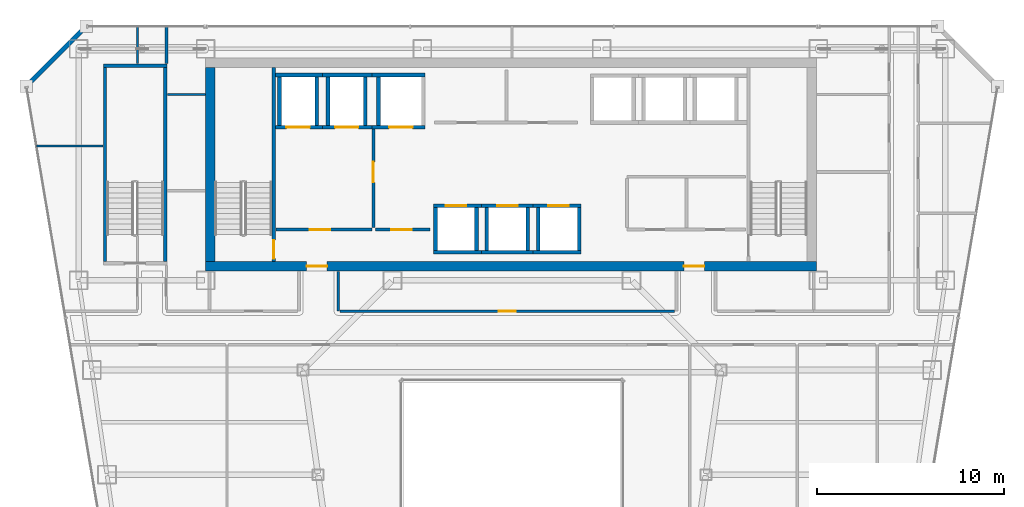
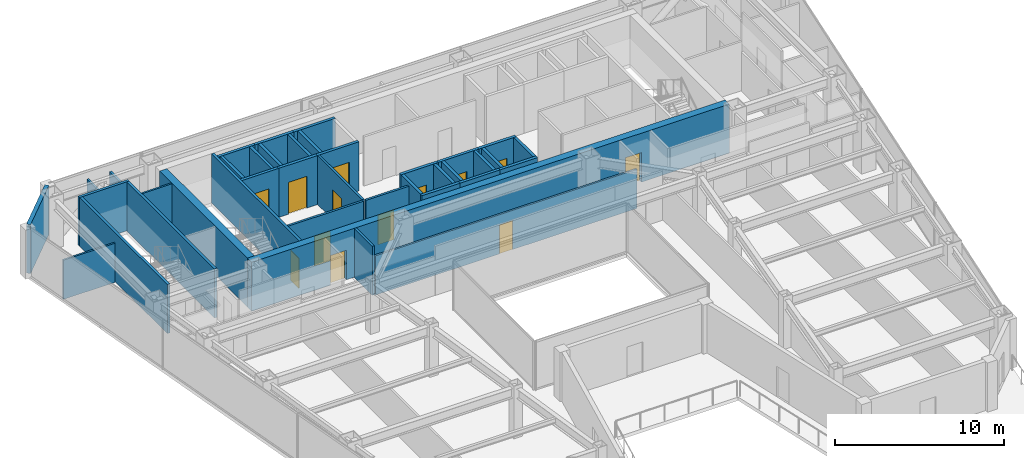
# One storey, part 25 of 31: 39 walls, 13 doors, 13 openings.
"""IFC4 building model written with IfcOpenShell, lengths in metres."""

from ifc_helpers import new_model, si_unit, direction, frame, frame_2d, origin, place, context, subcontext, project, spatial, rectangle, extrude, material, layer, layer_set, type_object, element, fill, save


model = new_model("IFC4")

# Units and contexts
model_context = context("Model", 3, precision=1e-05, world=origin(), true_north=direction((0.0, 1.0)))
body_context = subcontext(model_context, "Body", "Model", "MODEL_VIEW")
ifc_project = project(units=[si_unit("LENGTHUNIT", "METRE"), si_unit("AREAUNIT", "SQUARE_METRE"), si_unit("VOLUMEUNIT", "CUBIC_METRE"), si_unit("PLANEANGLEUNIT", "RADIAN"), si_unit("MASSUNIT", "GRAM", prefix="KILO")], contexts=[model_context])

# Site, building, storey
site_placement = place(None, origin())
site = spatial("IfcSite", under=ifc_project, at=site_placement, CompositionType="ELEMENT")
building_placement = place(site_placement, origin())
building = spatial("IfcBuilding", under=site, at=building_placement, Name="Saevonmaru Cultural Tower", CompositionType="ELEMENT")
storey_placement = place(building_placement, frame((0.0, 0.0, 167.60009765625)))
storey = spatial("IfcBuildingStorey", under=building, at=storey_placement, Name="L37", CompositionType="ELEMENT", Elevation=167.60009765625)

# Wall, openings, doors
ifc_material_1 = material(Name="Concrete C60/75", Category="concrete")
ifc_layer_1 = layer(ifc_material_1, 0.5, Name="Concrete C60/75")
ifc_layer_set_1 = layer_set([ifc_layer_1], Name="Concrete C60/75")
wall_type_1 = type_object("IfcWallType", Name="WL-CORE-500", PredefinedType="SHEAR", material=ifc_layer_set_1)
wall_1_placement = place(storey_placement, frame((13.60009765625, 43.14990234375, 0.0), z_axis=(0.0, 0.0, 1.0), x_axis=(1.0, 0.0, 0.0)))
wall_1 = element("IfcWall", 1, at=wall_1_placement, inside=storey, type_object=wall_type_1, Name="L37 Tower RC core shear wall S", PredefinedType="SHEAR", context=body_context, shape_type="SweptSolid", body=[
    extrude(rectangle(XDim=32.699951171875, YDim=0.5, at=frame_2d((16.35009765625, 0.0))), origin(), (0.0, 0.0, 1.0), 3.5498046875),
])
opening_1_placement = place(wall_1_placement, frame((5.39990234375, 0.0, 0.0)))
opening_1 = element("IfcOpeningElement", 2, at=opening_1_placement, cuts=wall_1, Name="Opening FD-2", PredefinedType="OPENING", context=body_context, shape_type="SweptSolid", body=[
    extrude(rectangle(XDim=1.10009765625, YDim=2.14990234375, at=frame_2d((0.550048828125, 1.074951171875))), frame((0.0, 0.260009765625, 0.0), z_axis=(0.0, -1.0, 0.0), x_axis=(1.0, 0.0, 0.0)), (0.0, 0.0, 1.0), 0.52001953125),
])
opening_2_placement = place(wall_1_placement, frame((25.60009765625, 0.0, 0.0)))
opening_2 = element("IfcOpeningElement", 3, at=opening_2_placement, cuts=wall_1, Name="Opening FD-2", PredefinedType="OPENING", context=body_context, shape_type="SweptSolid", body=[
    extrude(rectangle(XDim=1.10009765625, YDim=2.14990234375, at=frame_2d((0.550048828125, 1.074951171875))), frame((0.0, 0.260009765625, 0.0), z_axis=(0.0, -1.0, 0.0), x_axis=(1.0, 0.0, 0.0)), (0.0, 0.0, 1.0), 0.52001953125),
])
ifc_material_2 = material(Name="Satin Bronze Anodised Aluminium", Category="aluminium")
door_type_1 = type_object("IfcDoorType", Name="DR-FD60-1100", OperationType="SINGLE_SWING_LEFT", PredefinedType="DOOR", material=ifc_material_2)
door_1_placement = place(opening_1_placement, origin())
door_1 = element("IfcDoor", 4, at=door_1_placement, inside=storey, type_object=door_type_1, Name="L37 Core West Lobby Fire Door", OperationType="SINGLE_SWING_LEFT", OverallHeight=2.14990234375, OverallWidth=1.10009765625, PredefinedType="DOOR", context=body_context, shape_type="SweptSolid", body=[
    extrude(rectangle(XDim=1.10009765625, YDim=2.14990234375, at=frame_2d((0.550048828125, 1.074951171875))), frame((0.0, 0.02490234375, 0.0), z_axis=(0.0, -1.0, 0.0), x_axis=(1.0, 0.0, 0.0)), (0.0, 0.0, 1.0), 0.050048828125),
])
fill(opening_1, door_1)
door_2_placement = place(opening_2_placement, origin())
door_2 = element("IfcDoor", 5, at=door_2_placement, inside=storey, type_object=door_type_1, Name="L37 Core East Lobby Fire Door", OperationType="SINGLE_SWING_LEFT", OverallHeight=2.14990234375, OverallWidth=1.10009765625, PredefinedType="DOOR", context=body_context, shape_type="SweptSolid", body=[
    extrude(rectangle(XDim=1.10009765625, YDim=2.14990234375, at=frame_2d((0.550048828125, 1.074951171875))), frame((0.0, 0.02490234375, 0.0), z_axis=(0.0, -1.0, 0.0), x_axis=(1.0, 0.0, 0.0)), (0.0, 0.0, 1.0), 0.050048828125),
])
fill(opening_2, door_2)

# Wall
wall_2_placement = place(storey_placement, frame((13.85009765625, 43.39990234375, 0.0), z_axis=(0.0, 0.0, 1.0), x_axis=(0.0, 1.0, 0.0)))
element("IfcWall", 6, at=wall_2_placement, inside=storey, type_object=wall_type_1, Name="L37 Tower RC core shear wall W", PredefinedType="SHEAR", context=body_context, shape_type="SweptSolid", body=[
    extrude(rectangle(XDim=10.400146484375, YDim=0.5, at=frame_2d((5.2001953125, 0.0))), origin(), (0.0, 0.0, 1.0), 3.5498046875),
])

# Wall, opening, door
ifc_material_3 = material(Name="Gypsum Fireboard Partition", Category="gypsum")
ifc_layer_2 = layer(ifc_material_3, 0.14990234375, Name="Gypsum Fireboard Partition")
ifc_layer_set_2 = layer_set([ifc_layer_2], Name="Gypsum Fireboard Partition")
wall_type_2 = type_object("IfcWallType", Name="WL-CORE-PART-150", PredefinedType="PARTITIONING", material=ifc_layer_set_2)
wall_3_placement = place(storey_placement, frame((17.360107421875, 45.1201171875, 0.0), z_axis=(0.0, 0.0, 1.0), x_axis=(1.0, 0.0, 0.0)))
wall_3 = element("IfcWall", 7, at=wall_3_placement, inside=storey, type_object=wall_type_2, Name="L37 Firefighting Lift Lobby South Wall", PredefinedType="PARTITIONING", context=body_context, shape_type="SweptSolid", body=[
    extrude(rectangle(XDim=5.139892578125, YDim=0.14990234375, at=frame_2d((2.56982421875, 0.0))), origin(), (0.0, 0.0, 1.0), 3.5498046875),
])
opening_3_placement = place(wall_3_placement, frame((1.800048828125, 0.0, 0.0)))
opening_3 = element("IfcOpeningElement", 8, at=opening_3_placement, cuts=wall_3, Name="Opening FD-2", PredefinedType="OPENING", context=body_context, shape_type="SweptSolid", body=[
    extrude(rectangle(XDim=1.10009765625, YDim=2.14990234375, at=frame_2d((0.550048828125, 1.074951171875))), frame((0.0, 0.0849609375, 0.0), z_axis=(0.0, -1.0, 0.0), x_axis=(1.0, 0.0, 0.0)), (0.0, 0.0, 1.0), 0.169921875),
])
door_3_placement = place(opening_3_placement, origin())
door_3 = element("IfcDoor", 9, at=door_3_placement, inside=storey, type_object=door_type_1, Name="L37 Firefighting Lift Lobby South Door", OperationType="SINGLE_SWING_LEFT", OverallHeight=2.14990234375, OverallWidth=1.10009765625, PredefinedType="DOOR", context=body_context, shape_type="SweptSolid", body=[
    extrude(rectangle(XDim=1.10009765625, YDim=2.14990234375, at=frame_2d((0.550048828125, 1.074951171875))), frame((0.0, 0.02490234375, 0.0), z_axis=(0.0, -1.0, 0.0), x_axis=(1.0, 0.0, 0.0)), (0.0, 0.0, 1.0), 0.050048828125),
])
fill(opening_3, door_3)

wall_4_placement = place(storey_placement, frame((22.580078125, 50.550048828125, 0.0), z_axis=(0.0, 0.0, 1.0), x_axis=(0.0, -1.0, 0.0)))
wall_4 = element("IfcWall", 10, at=wall_4_placement, inside=storey, type_object=wall_type_2, Name="L37 Firefighting Lift Lobby East Wall", PredefinedType="PARTITIONING", context=body_context, shape_type="SweptSolid", body=[
    extrude(rectangle(XDim=5.330078125, YDim=0.14990234375, at=frame_2d((2.6650390625, 0.0))), origin(), (0.0, 0.0, 1.0), 3.5498046875),
])
opening_4_placement = place(wall_4_placement, frame((1.800048828125, 0.0, 0.0)))
opening_4 = element("IfcOpeningElement", 11, at=opening_4_placement, cuts=wall_4, Name="Opening FD-2", PredefinedType="OPENING", context=body_context, shape_type="SweptSolid", body=[
    extrude(rectangle(XDim=1.10009765625, YDim=2.14990234375, at=frame_2d((0.550048828125, 1.074951171875))), frame((0.0, 0.0849609375, 0.0), z_axis=(0.0, -1.0, 0.0), x_axis=(1.0, 0.0, 0.0)), (0.0, 0.0, 1.0), 0.169921875),
])
door_4_placement = place(opening_4_placement, origin())
door_4 = element("IfcDoor", 12, at=door_4_placement, inside=storey, type_object=door_type_1, Name="L37 Firefighting Lift Lobby East Door", OperationType="SINGLE_SWING_LEFT", OverallHeight=2.14990234375, OverallWidth=1.10009765625, PredefinedType="DOOR", context=body_context, shape_type="SweptSolid", body=[
    extrude(rectangle(XDim=1.10009765625, YDim=2.14990234375, at=frame_2d((0.550048828125, 1.074951171875))), frame((0.0, 0.02490234375, 0.0), z_axis=(0.0, -1.0, 0.0), x_axis=(1.0, 0.0, 0.0)), (0.0, 0.0, 1.0), 0.050048828125),
])
fill(opening_4, door_4)

wall_5_placement = place(storey_placement, frame((22.679931640625, 45.1201171875, 0.0), z_axis=(0.0, 0.0, 1.0), x_axis=(1.0, 0.0, 0.0)))
wall_5 = element("IfcWall", 13, at=wall_5_placement, inside=storey, type_object=wall_type_2, Name="L37 Service Lift Vestibule Wall", PredefinedType="PARTITIONING", context=body_context, shape_type="SweptSolid", body=[
    extrude(rectangle(XDim=2.920166015625, YDim=0.14990234375, at=frame_2d((1.4599609375, 0.0))), origin(), (0.0, 0.0, 1.0), 3.5498046875),
])
opening_5_placement = place(wall_5_placement, frame((0.85009765625, 0.0, 0.0)))
opening_5 = element("IfcOpeningElement", 14, at=opening_5_placement, cuts=wall_5, Name="Opening FD-2", PredefinedType="OPENING", context=body_context, shape_type="SweptSolid", body=[
    extrude(rectangle(XDim=1.10009765625, YDim=2.14990234375, at=frame_2d((0.550048828125, 1.074951171875))), frame((0.0, 0.0849609375, 0.0), z_axis=(0.0, -1.0, 0.0), x_axis=(1.0, 0.0, 0.0)), (0.0, 0.0, 1.0), 0.169921875),
])
door_5_placement = place(opening_5_placement, origin())
door_5 = element("IfcDoor", 15, at=door_5_placement, inside=storey, type_object=door_type_1, Name="L37 Service Lift Vestibule Door", OperationType="SINGLE_SWING_LEFT", OverallHeight=2.14990234375, OverallWidth=1.10009765625, PredefinedType="DOOR", context=body_context, shape_type="SweptSolid", body=[
    extrude(rectangle(XDim=1.10009765625, YDim=2.14990234375, at=frame_2d((0.550048828125, 1.074951171875))), frame((0.0, 0.02490234375, 0.0), z_axis=(0.0, -1.0, 0.0), x_axis=(1.0, 0.0, 0.0)), (0.0, 0.0, 1.0), 0.050048828125),
])
fill(opening_5, door_5)

# Walls
ifc_material_4 = material(Name="Granite-Clad Precast Concrete C40/50", Category="masonry")
ifc_layer_3 = layer(ifc_material_4, 0.260009765625, Name="Granite-Clad Precast Concrete C40/50")
ifc_layer_set_3 = layer_set([ifc_layer_3], Name="Granite-Clad Precast Concrete C40/50")
wall_type_3 = type_object("IfcWallType", Name="WL-EXT-SPANDREL-260", PredefinedType="STANDARD", material=ifc_layer_set_3)
wall_6_placement = place(storey_placement, frame((7.0869140625, 55.886962890625, 0.0), z_axis=(0.0, 0.0, 1.0), x_axis=(-0.707106781187, -0.707106781187, 0.0)))
element("IfcWall", 16, at=wall_6_placement, inside=storey, type_object=wall_type_3, Name="L37 Chamfer Corner Spandrel Wall E11", PredefinedType="STANDARD", context=body_context, shape_type="SweptSolid", body=[
    extrude(rectangle(XDim=4.205810546875, YDim=0.260009765625, at=frame_2d((2.10302734375, 0.0))), origin(), (0.0, 0.0, 1.0), 3.5498046875),
])
ifc_layer_4 = layer(ifc_material_3, 0.14990234375, Name="Gypsum Fireboard Partition")
ifc_layer_set_4 = layer_set([ifc_layer_4], Name="Gypsum Fireboard Partition")
wall_type_4 = type_object("IfcWallType", Name="WL-PART-FIRE-150", PredefinedType="PARTITIONING", material=ifc_layer_set_4)
wall_7_placement = place(storey_placement, frame((11.5, 54.0, 0.0), z_axis=(0.0, 0.0, 1.0), x_axis=(0.0, 1.0, 0.0)))
element("IfcWall", 17, at=wall_7_placement, inside=storey, type_object=wall_type_4, Name="L37 Media Screening Auditorium Corridor Wall", PredefinedType="PARTITIONING", context=body_context, shape_type="SweptSolid", body=[
    extrude(rectangle(XDim=1.9951171875, YDim=0.14990234375, at=frame_2d((0.99755859375, 0.0))), origin(), (0.0, 0.0, 1.0), 2.934814453125),
])
wall_8_placement = place(storey_placement, frame((20.699951171875, 40.75, 0.0), z_axis=(0.0, 0.0, 1.0), x_axis=(0.0, 1.0, 0.0)))
element("IfcWall", 18, at=wall_8_placement, inside=storey, type_object=wall_type_4, Name="L37 Core Portal Side Wall W2", PredefinedType="PARTITIONING", context=body_context, shape_type="SweptSolid", body=[
    extrude(rectangle(XDim=2.1298828125, YDim=0.14990234375, at=frame_2d((1.06494140625, 0.0))), origin(), (0.0, 0.0, 1.0), 3.5498046875),
])
ifc_layer_5 = layer(ifc_material_3, 0.1201171875, Name="Gypsum Fireboard Partition")
ifc_layer_set_5 = layer_set([ifc_layer_5], Name="Gypsum Fireboard Partition")
wall_type_5 = type_object("IfcWallType", Name="WL-PART-GYP-120", PredefinedType="PARTITIONING", material=ifc_layer_set_5)
wall_9_placement = place(storey_placement, frame((11.550048828125, 52.35009765625, 0.0), z_axis=(0.0, 0.0, 1.0), x_axis=(1.0, 0.0, 0.0)))
element("IfcWall", 19, at=wall_9_placement, inside=storey, type_object=wall_type_5, Name="L37 North-West Panorama South Wall", PredefinedType="PARTITIONING", context=body_context, shape_type="SweptSolid", body=[
    extrude(rectangle(XDim=2.030029296875, YDim=0.1201171875, at=frame_2d((1.01513671875, 0.0))), origin(), (0.0, 0.0, 1.0), 3.5498046875),
])
wall_10_placement = place(storey_placement, frame((4.546875, 49.60009765625, 0.0), z_axis=(0.0, 0.0, 1.0), x_axis=(1.0, 0.0, 0.0)))
element("IfcWall", 20, at=wall_10_placement, inside=storey, type_object=wall_type_5, Name="L37 NW Studio Divider 1", PredefinedType="PARTITIONING", context=body_context, shape_type="SweptSolid", body=[
    extrude(rectangle(XDim=3.55322265625, YDim=0.1201171875, at=frame_2d((1.776611328125, 0.0))), origin(), (0.0, 0.0, 1.0), 2.8349609375),
])
wall_11_placement = place(storey_placement, frame((9.949951171875, 54.0, 0.0), z_axis=(0.0, 0.0, 1.0), x_axis=(0.0, 1.0, 0.0)))
element("IfcWall", 21, at=wall_11_placement, inside=storey, type_object=wall_type_5, Name="L37 Design Seminar Classroom Corridor Wall", PredefinedType="PARTITIONING", context=body_context, shape_type="SweptSolid", body=[
    extrude(rectangle(XDim=1.9951171875, YDim=0.1201171875, at=frame_2d((0.99755859375, 0.0))), origin(), (0.0, 0.0, 1.0), 2.934814453125),
])

# Wall, opening, door
wall_12_placement = place(storey_placement, frame((20.794921875, 40.75, 0.0), z_axis=(0.0, 0.0, 1.0), x_axis=(1.0, 0.0, 0.0)))
wall_12 = element("IfcWall", 22, at=wall_12_placement, inside=storey, type_object=wall_type_5, Name="L37 Design Seminar Classroom Corridor Wall", PredefinedType="PARTITIONING", context=body_context, shape_type="SweptSolid", body=[
    extrude(rectangle(XDim=17.91015625, YDim=0.1201171875, at=frame_2d((8.955078125, 0.0))), origin(), (0.0, 0.0, 1.0), 2.8349609375),
])
opening_6_placement = place(wall_12_placement, frame((8.5048828125, 0.0, 0.0)))
opening_6 = element("IfcOpeningElement", 23, at=opening_6_placement, cuts=wall_12, Name="Opening ID-2", PredefinedType="OPENING", context=body_context, shape_type="SweptSolid", body=[
    extrude(rectangle(XDim=0.89990234375, YDim=2.10009765625, at=frame_2d((0.449951171875, 1.050048828125))), frame((0.0, 0.070068359375, 0.0), z_axis=(0.0, -1.0, 0.0), x_axis=(1.0, 0.0, 0.0)), (0.0, 0.0, 1.0), 0.14013671875),
])
ifc_material_5 = material(Name="Acoustic Stained Oak Timber", Category="wood")
door_type_2 = type_object("IfcDoorType", Name="DR-INT-900", OperationType="SINGLE_SWING_RIGHT", PredefinedType="DOOR", material=ifc_material_5)
door_6_placement = place(opening_6_placement, origin())
door_6 = element("IfcDoor", 24, at=door_6_placement, inside=storey, type_object=door_type_2, Name="L37 Design Seminar Classroom Door", OperationType="SINGLE_SWING_LEFT", OverallHeight=2.10009765625, OverallWidth=0.89990234375, PredefinedType="DOOR", context=body_context, shape_type="SweptSolid", body=[
    extrude(rectangle(XDim=0.89990234375, YDim=2.10009765625, at=frame_2d((0.449951171875, 1.050048828125))), frame((0.0, 0.02490234375, 0.0), z_axis=(0.0, -1.0, 0.0), x_axis=(1.0, 0.0, 0.0)), (0.0, 0.0, 1.0), 0.050048828125),
])
fill(opening_6, door_6)

ifc_material_6 = material(Name="Concrete C40/50", Category="concrete")
ifc_layer_6 = layer(ifc_material_6, 0.199951171875, Name="Concrete C40/50")
ifc_layer_set_6 = layer_set([ifc_layer_6], Name="Concrete C40/50")
wall_type_6 = type_object("IfcWallType", Name="WL-SHAFT-200", PredefinedType="SHEAR", material=ifc_layer_set_6)
wall_13_placement = place(storey_placement, frame((17.330078125, 50.60009765625, 0.0), z_axis=(0.0, 0.0, 1.0), x_axis=(1.0, 0.0, 0.0)))
wall_13 = element("IfcWall", 25, at=wall_13_placement, inside=storey, type_object=wall_type_6, Name="L37 Lift FFL-1 Hoistway Wall S", PredefinedType="SHEAR", context=body_context, shape_type="SweptSolid", body=[
    extrude(rectangle(XDim=2.52001953125, YDim=0.199951171875, at=frame_2d((1.260009765625, 0.0))), origin(), (0.0, 0.0, 1.0), 3.5498046875),
])
opening_7_placement = place(wall_13_placement, frame((0.594970703125, 0.0, 0.0)))
opening_7 = element("IfcOpeningElement", 26, at=opening_7_placement, cuts=wall_13, Name="Opening LD-2", PredefinedType="OPENING", context=body_context, shape_type="SweptSolid", body=[
    extrude(rectangle(XDim=1.25, YDim=2.300048828125, at=frame_2d((0.625, 1.14990234375))), frame((0.0, 0.10986328125, 0.0), z_axis=(0.0, -1.0, 0.0), x_axis=(1.0, 0.0, 0.0)), (0.0, 0.0, 1.0), 0.219970703125),
])
ifc_material_7 = material(Name="Stainless Steel 316", Category="steel")
door_type_3 = type_object("IfcDoorType", Name="DR-LIFT-1250", OperationType="SLIDING_TO_LEFT", PredefinedType="DOOR", material=ifc_material_7)
door_7_placement = place(opening_7_placement, origin())
door_7 = element("IfcDoor", 27, at=door_7_placement, inside=storey, type_object=door_type_3, Name="L37 Lift FFL-1 Sliding Landing Door", OperationType="SLIDING_TO_LEFT", OverallHeight=2.300048828125, OverallWidth=1.25, PredefinedType="DOOR", context=body_context, shape_type="SweptSolid", body=[
    extrude(rectangle(XDim=1.25, YDim=2.300048828125, at=frame_2d((0.625, 1.14990234375))), frame((0.0, 0.02490234375, 0.0), z_axis=(0.0, -1.0, 0.0), x_axis=(1.0, 0.0, 0.0)), (0.0, 0.0, 1.0), 0.050048828125),
])
fill(opening_7, door_7)

# Walls
wall_14_placement = place(storey_placement, frame((17.330078125, 53.39990234375, 0.0), z_axis=(0.0, 0.0, 1.0), x_axis=(1.0, 0.0, 0.0)))
element("IfcWall", 28, at=wall_14_placement, inside=storey, type_object=wall_type_6, Name="L37 Lift FFL-1 Hoistway Wall N", PredefinedType="SHEAR", context=body_context, shape_type="SweptSolid", body=[
    extrude(rectangle(XDim=2.52001953125, YDim=0.199951171875, at=frame_2d((1.260009765625, 0.0))), origin(), (0.0, 0.0, 1.0), 3.5498046875),
])
for number, where, z_axis, x_axis, name in (
    (29, (17.550048828125, 50.699951171875, 0.0), (0.0, 0.0, 1.0), (0.0, 1.0, 0.0), "L37 Lift FFL-1 Hoistway Wall W"),
    (30, (19.550048828125, 50.699951171875, 0.0), (0.0, 0.0, 1.0), (0.0, 1.0, 0.0), "L37 Lift FFL-1 Hoistway Wall E"),
):
    element("IfcWall", number, at=place(storey_placement, frame(where, z_axis=z_axis, x_axis=x_axis)), inside=storey, type_object=wall_type_6, Name=name, PredefinedType="SHEAR", context=body_context, shape_type="SweptSolid", body=[
        extrude(rectangle(XDim=2.60009765625, YDim=0.199951171875, at=frame_2d((1.300048828125, 0.0))), origin(), (0.0, 0.0, 1.0), 3.5498046875),
    ])

# Wall, opening, door
wall_15_placement = place(storey_placement, frame((19.85009765625, 50.60009765625, 0.0), z_axis=(0.0, 0.0, 1.0), x_axis=(1.0, 0.0, 0.0)))
wall_15 = element("IfcWall", 31, at=wall_15_placement, inside=storey, type_object=wall_type_6, Name="L37 Lift FFL-2 Hoistway Wall S", PredefinedType="SHEAR", context=body_context, shape_type="SweptSolid", body=[
    extrude(rectangle(XDim=2.64990234375, YDim=0.199951171875, at=frame_2d((1.324951171875, 0.0))), origin(), (0.0, 0.0, 1.0), 3.5498046875),
])
opening_8_placement = place(wall_15_placement, frame((0.675048828125, 0.0, 0.0)))
opening_8 = element("IfcOpeningElement", 32, at=opening_8_placement, cuts=wall_15, Name="Opening LD-2", PredefinedType="OPENING", context=body_context, shape_type="SweptSolid", body=[
    extrude(rectangle(XDim=1.25, YDim=2.300048828125, at=frame_2d((0.625, 1.14990234375))), frame((0.0, 0.10986328125, 0.0), z_axis=(0.0, -1.0, 0.0), x_axis=(1.0, 0.0, 0.0)), (0.0, 0.0, 1.0), 0.219970703125),
])
door_8_placement = place(opening_8_placement, origin())
door_8 = element("IfcDoor", 33, at=door_8_placement, inside=storey, type_object=door_type_3, Name="L37 Lift FFL-2 Sliding Landing Door", OperationType="SLIDING_TO_LEFT", OverallHeight=2.300048828125, OverallWidth=1.25, PredefinedType="DOOR", context=body_context, shape_type="SweptSolid", body=[
    extrude(rectangle(XDim=1.25, YDim=2.300048828125, at=frame_2d((0.625, 1.14990234375))), frame((0.0, 0.02490234375, 0.0), z_axis=(0.0, -1.0, 0.0), x_axis=(1.0, 0.0, 0.0)), (0.0, 0.0, 1.0), 0.050048828125),
])
fill(opening_8, door_8)

# Walls
wall_16_placement = place(storey_placement, frame((19.85009765625, 53.39990234375, 0.0), z_axis=(0.0, 0.0, 1.0), x_axis=(1.0, 0.0, 0.0)))
element("IfcWall", 34, at=wall_16_placement, inside=storey, type_object=wall_type_6, Name="L37 Lift FFL-2 Hoistway Wall N", PredefinedType="SHEAR", context=body_context, shape_type="SweptSolid", body=[
    extrude(rectangle(XDim=2.64990234375, YDim=0.199951171875, at=frame_2d((1.324951171875, 0.0))), origin(), (0.0, 0.0, 1.0), 3.5498046875),
])
for number, where, z_axis, x_axis, name in (
    (35, (20.14990234375, 50.699951171875, 0.0), (0.0, 0.0, 1.0), (0.0, 1.0, 0.0), "L37 Lift FFL-2 Hoistway Wall W"),
    (36, (22.14990234375, 50.699951171875, 0.0), (0.0, 0.0, 1.0), (0.0, 1.0, 0.0), "L37 Lift FFL-2 Hoistway Wall E"),
):
    element("IfcWall", number, at=place(storey_placement, frame(where, z_axis=z_axis, x_axis=x_axis)), inside=storey, type_object=wall_type_6, Name=name, PredefinedType="SHEAR", context=body_context, shape_type="SweptSolid", body=[
        extrude(rectangle(XDim=2.60009765625, YDim=0.199951171875, at=frame_2d((1.300048828125, 0.0))), origin(), (0.0, 0.0, 1.0), 3.5498046875),
    ])

# Wall, opening, door
wall_17_placement = place(storey_placement, frame((22.5, 50.60009765625, 0.0), z_axis=(0.0, 0.0, 1.0), x_axis=(1.0, 0.0, 0.0)))
wall_17 = element("IfcWall", 37, at=wall_17_placement, inside=storey, type_object=wall_type_6, Name="L37 Lift GL-1 Hoistway Wall S", PredefinedType="SHEAR", context=body_context, shape_type="SweptSolid", body=[
    extrude(rectangle(XDim=2.85009765625, YDim=0.199951171875, at=frame_2d((1.425048828125, 0.0))), origin(), (0.0, 0.0, 1.0), 3.5498046875),
])
opening_9_placement = place(wall_17_placement, frame((0.925048828125, 0.0, 0.0)))
opening_9 = element("IfcOpeningElement", 38, at=opening_9_placement, cuts=wall_17, Name="Opening LD-2", PredefinedType="OPENING", context=body_context, shape_type="SweptSolid", body=[
    extrude(rectangle(XDim=1.25, YDim=2.300048828125, at=frame_2d((0.625, 1.14990234375))), frame((0.0, 0.10986328125, 0.0), z_axis=(0.0, -1.0, 0.0), x_axis=(1.0, 0.0, 0.0)), (0.0, 0.0, 1.0), 0.219970703125),
])
door_9_placement = place(opening_9_placement, origin())
door_9 = element("IfcDoor", 39, at=door_9_placement, inside=storey, type_object=door_type_3, Name="L37 Lift GL-1 Sliding Landing Door", OperationType="SLIDING_TO_LEFT", OverallHeight=2.300048828125, OverallWidth=1.25, PredefinedType="DOOR", context=body_context, shape_type="SweptSolid", body=[
    extrude(rectangle(XDim=1.25, YDim=2.300048828125, at=frame_2d((0.625, 1.14990234375))), frame((0.0, 0.02490234375, 0.0), z_axis=(0.0, -1.0, 0.0), x_axis=(1.0, 0.0, 0.0)), (0.0, 0.0, 1.0), 0.050048828125),
])
fill(opening_9, door_9)

# Walls
wall_18_placement = place(storey_placement, frame((22.5, 53.39990234375, 0.0), z_axis=(0.0, 0.0, 1.0), x_axis=(1.0, 0.0, 0.0)))
element("IfcWall", 40, at=wall_18_placement, inside=storey, type_object=wall_type_6, Name="L37 Lift GL-1 Hoistway Wall N", PredefinedType="SHEAR", context=body_context, shape_type="SweptSolid", body=[
    extrude(rectangle(XDim=2.85009765625, YDim=0.199951171875, at=frame_2d((1.425048828125, 0.0))), origin(), (0.0, 0.0, 1.0), 3.5498046875),
])
wall_19_placement = place(storey_placement, frame((22.85009765625, 50.699951171875, 0.0), z_axis=(0.0, 0.0, 1.0), x_axis=(0.0, 1.0, 0.0)))
element("IfcWall", 41, at=wall_19_placement, inside=storey, type_object=wall_type_6, Name="L37 Lift GL-1 Hoistway Wall W", PredefinedType="SHEAR", context=body_context, shape_type="SweptSolid", body=[
    extrude(rectangle(XDim=2.60009765625, YDim=0.199951171875, at=frame_2d((1.300048828125, 0.0))), origin(), (0.0, 0.0, 1.0), 3.5498046875),
])
wall_20_placement = place(storey_placement, frame((25.800048828125, 43.89990234375, 0.0), z_axis=(0.0, 0.0, 1.0), x_axis=(1.0, 0.0, 0.0)))
element("IfcWall", 42, at=wall_20_placement, inside=storey, type_object=wall_type_6, Name="L37 Lift PL-M1 Hoistway Wall S", PredefinedType="SHEAR", context=body_context, shape_type="SweptSolid", body=[
    extrude(rectangle(XDim=2.574951171875, YDim=0.199951171875, at=frame_2d((1.28759765625, 0.0))), origin(), (0.0, 0.0, 1.0), 3.5498046875),
])

# Wall, opening, door
wall_21_placement = place(storey_placement, frame((25.800048828125, 46.39990234375, 0.0), z_axis=(0.0, 0.0, 1.0), x_axis=(1.0, 0.0, 0.0)))
wall_21 = element("IfcWall", 43, at=wall_21_placement, inside=storey, type_object=wall_type_6, Name="L37 Lift PL-M1 Hoistway Wall N", PredefinedType="SHEAR", context=body_context, shape_type="SweptSolid", body=[
    extrude(rectangle(XDim=2.574951171875, YDim=0.199951171875, at=frame_2d((1.28759765625, 0.0))), origin(), (0.0, 0.0, 1.0), 3.5498046875),
])
opening_10_placement = place(wall_21_placement, frame((0.64990234375, 0.0, 0.0)))
opening_10 = element("IfcOpeningElement", 44, at=opening_10_placement, cuts=wall_21, Name="Opening LD-1", PredefinedType="OPENING", context=body_context, shape_type="SweptSolid", body=[
    extrude(rectangle(XDim=1.10009765625, YDim=2.199951171875, at=frame_2d((0.550048828125, 1.10009765625))), frame((0.0, 0.10986328125, 0.0), z_axis=(0.0, -1.0, 0.0), x_axis=(1.0, 0.0, 0.0)), (0.0, 0.0, 1.0), 0.219970703125),
])
ifc_material_8 = material(Name="Satin Bronze Stainless Steel", Category="steel")
door_type_4 = type_object("IfcDoorType", Name="DR-LIFT-1100", OperationType="SLIDING_TO_LEFT", PredefinedType="DOOR", material=ifc_material_8)
door_10_placement = place(opening_10_placement, origin())
door_10 = element("IfcDoor", 45, at=door_10_placement, inside=storey, type_object=door_type_4, Name="L37 Lift PL-M1 Sliding Landing Door", OperationType="SLIDING_TO_LEFT", OverallHeight=2.199951171875, OverallWidth=1.10009765625, PredefinedType="DOOR", context=body_context, shape_type="SweptSolid", body=[
    extrude(rectangle(XDim=1.10009765625, YDim=2.199951171875, at=frame_2d((0.550048828125, 1.10009765625))), frame((0.0, 0.02490234375, 0.0), z_axis=(0.0, -1.0, 0.0), x_axis=(1.0, 0.0, 0.0)), (0.0, 0.0, 1.0), 0.050048828125),
])
fill(opening_10, door_10)

# Walls
for number, where, z_axis, x_axis, name in (
    (46, (25.89990234375, 44.0, 0.0), (0.0, 0.0, 1.0), (0.0, 1.0, 0.0), "L37 Lift PL-M1 Hoistway Wall W"),
    (47, (28.10009765625, 44.0, 0.0), (0.0, 0.0, 1.0), (0.0, 1.0, 0.0), "L37 Lift PL-M1 Hoistway Wall E"),
):
    element("IfcWall", number, at=place(storey_placement, frame(where, z_axis=z_axis, x_axis=x_axis)), inside=storey, type_object=wall_type_6, Name=name, PredefinedType="SHEAR", context=body_context, shape_type="SweptSolid", body=[
        extrude(rectangle(XDim=2.300048828125, YDim=0.199951171875, at=frame_2d((1.14990234375, 0.0))), origin(), (0.0, 0.0, 1.0), 3.5498046875),
    ])
wall_22_placement = place(storey_placement, frame((28.375, 43.89990234375, 0.0), z_axis=(0.0, 0.0, 1.0), x_axis=(1.0, 0.0, 0.0)))
element("IfcWall", 48, at=wall_22_placement, inside=storey, type_object=wall_type_6, Name="L37 Lift PL-M2 Hoistway Wall S", PredefinedType="SHEAR", context=body_context, shape_type="SweptSolid", body=[
    extrude(rectangle(XDim=2.75, YDim=0.199951171875, at=frame_2d((1.375, 0.0))), origin(), (0.0, 0.0, 1.0), 3.5498046875),
])

# Wall, opening, door
wall_23_placement = place(storey_placement, frame((28.375, 46.39990234375, 0.0), z_axis=(0.0, 0.0, 1.0), x_axis=(1.0, 0.0, 0.0)))
wall_23 = element("IfcWall", 49, at=wall_23_placement, inside=storey, type_object=wall_type_6, Name="L37 Lift PL-M2 Hoistway Wall N", PredefinedType="SHEAR", context=body_context, shape_type="SweptSolid", body=[
    extrude(rectangle(XDim=2.75, YDim=0.199951171875, at=frame_2d((1.375, 0.0))), origin(), (0.0, 0.0, 1.0), 3.5498046875),
])
opening_11_placement = place(wall_23_placement, frame((0.824951171875, 0.0, 0.0)))
opening_11 = element("IfcOpeningElement", 50, at=opening_11_placement, cuts=wall_23, Name="Opening LD-1", PredefinedType="OPENING", context=body_context, shape_type="SweptSolid", body=[
    extrude(rectangle(XDim=1.10009765625, YDim=2.199951171875, at=frame_2d((0.550048828125, 1.10009765625))), frame((0.0, 0.10986328125, 0.0), z_axis=(0.0, -1.0, 0.0), x_axis=(1.0, 0.0, 0.0)), (0.0, 0.0, 1.0), 0.219970703125),
])
door_11_placement = place(opening_11_placement, origin())
door_11 = element("IfcDoor", 51, at=door_11_placement, inside=storey, type_object=door_type_4, Name="L37 Lift PL-M2 Sliding Landing Door", OperationType="SLIDING_TO_LEFT", OverallHeight=2.199951171875, OverallWidth=1.10009765625, PredefinedType="DOOR", context=body_context, shape_type="SweptSolid", body=[
    extrude(rectangle(XDim=1.10009765625, YDim=2.199951171875, at=frame_2d((0.550048828125, 1.10009765625))), frame((0.0, 0.02490234375, 0.0), z_axis=(0.0, -1.0, 0.0), x_axis=(1.0, 0.0, 0.0)), (0.0, 0.0, 1.0), 0.050048828125),
])
fill(opening_11, door_11)

# Walls
for number, where, z_axis, x_axis, name in (
    (52, (28.64990234375, 44.0, 0.0), (0.0, 0.0, 1.0), (0.0, 1.0, 0.0), "L37 Lift PL-M2 Hoistway Wall W"),
    (53, (30.85009765625, 44.0, 0.0), (0.0, 0.0, 1.0), (0.0, 1.0, 0.0), "L37 Lift PL-M2 Hoistway Wall E"),
):
    element("IfcWall", number, at=place(storey_placement, frame(where, z_axis=z_axis, x_axis=x_axis)), inside=storey, type_object=wall_type_6, Name=name, PredefinedType="SHEAR", context=body_context, shape_type="SweptSolid", body=[
        extrude(rectangle(XDim=2.300048828125, YDim=0.199951171875, at=frame_2d((1.14990234375, 0.0))), origin(), (0.0, 0.0, 1.0), 3.5498046875),
    ])
wall_24_placement = place(storey_placement, frame((31.125, 43.89990234375, 0.0), z_axis=(0.0, 0.0, 1.0), x_axis=(1.0, 0.0, 0.0)))
element("IfcWall", 54, at=wall_24_placement, inside=storey, type_object=wall_type_6, Name="L37 Lift PL-M3 Hoistway Wall S", PredefinedType="SHEAR", context=body_context, shape_type="SweptSolid", body=[
    extrude(rectangle(XDim=2.574951171875, YDim=0.199951171875, at=frame_2d((1.28759765625, 0.0))), origin(), (0.0, 0.0, 1.0), 3.5498046875),
])

# Wall, opening, door
wall_25_placement = place(storey_placement, frame((31.125, 46.39990234375, 0.0), z_axis=(0.0, 0.0, 1.0), x_axis=(1.0, 0.0, 0.0)))
wall_25 = element("IfcWall", 55, at=wall_25_placement, inside=storey, type_object=wall_type_6, Name="L37 Lift PL-M3 Hoistway Wall N", PredefinedType="SHEAR", context=body_context, shape_type="SweptSolid", body=[
    extrude(rectangle(XDim=2.574951171875, YDim=0.199951171875, at=frame_2d((1.28759765625, 0.0))), origin(), (0.0, 0.0, 1.0), 3.5498046875),
])
opening_12_placement = place(wall_25_placement, frame((0.824951171875, 0.0, 0.0)))
opening_12 = element("IfcOpeningElement", 56, at=opening_12_placement, cuts=wall_25, Name="Opening LD-1", PredefinedType="OPENING", context=body_context, shape_type="SweptSolid", body=[
    extrude(rectangle(XDim=1.10009765625, YDim=2.199951171875, at=frame_2d((0.550048828125, 1.10009765625))), frame((0.0, 0.10986328125, 0.0), z_axis=(0.0, -1.0, 0.0), x_axis=(1.0, 0.0, 0.0)), (0.0, 0.0, 1.0), 0.219970703125),
])
door_12_placement = place(opening_12_placement, origin())
door_12 = element("IfcDoor", 57, at=door_12_placement, inside=storey, type_object=door_type_4, Name="L37 Lift PL-M3 Sliding Landing Door", OperationType="SLIDING_TO_LEFT", OverallHeight=2.199951171875, OverallWidth=1.10009765625, PredefinedType="DOOR", context=body_context, shape_type="SweptSolid", body=[
    extrude(rectangle(XDim=1.10009765625, YDim=2.199951171875, at=frame_2d((0.550048828125, 1.10009765625))), frame((0.0, 0.02490234375, 0.0), z_axis=(0.0, -1.0, 0.0), x_axis=(1.0, 0.0, 0.0)), (0.0, 0.0, 1.0), 0.050048828125),
])
fill(opening_12, door_12)

# Walls
for number, where, z_axis, x_axis, name in (
    (58, (31.39990234375, 44.0, 0.0), (0.0, 0.0, 1.0), (0.0, 1.0, 0.0), "L37 Lift PL-M3 Hoistway Wall W"),
    (59, (33.60009765625, 44.0, 0.0), (0.0, 0.0, 1.0), (0.0, 1.0, 0.0), "L37 Lift PL-M3 Hoistway Wall E"),
):
    element("IfcWall", number, at=place(storey_placement, frame(where, z_axis=z_axis, x_axis=x_axis)), inside=storey, type_object=wall_type_6, Name=name, PredefinedType="SHEAR", context=body_context, shape_type="SweptSolid", body=[
        extrude(rectangle(XDim=2.300048828125, YDim=0.199951171875, at=frame_2d((1.14990234375, 0.0))), origin(), (0.0, 0.0, 1.0), 3.5498046875),
    ])

# Wall, opening, door
ifc_layer_7 = layer(ifc_material_6, 0.179931640625, Name="Concrete C40/50")
ifc_layer_set_7 = layer_set([ifc_layer_7], Name="Concrete C40/50")
wall_type_7 = type_object("IfcWallType", Name="WL-STSHAFT-180", PredefinedType="SHEAR", material=ifc_layer_set_7)
wall_26_placement = place(storey_placement, frame((17.239990234375, 43.39990234375, 0.0), z_axis=(0.0, 0.0, 1.0), x_axis=(0.0, 1.0, 0.0)))
wall_26 = element("IfcWall", 60, at=wall_26_placement, inside=storey, type_object=wall_type_7, Name="L37 Stair ST-1 Structural Shaft Wall 1", PredefinedType="SHEAR", context=body_context, shape_type="SweptSolid", body=[
    extrude(rectangle(XDim=10.400146484375, YDim=0.179931640625, at=frame_2d((5.2001953125, 0.0))), origin(), (0.0, 0.0, 1.0), 3.5498046875),
])
opening_13_placement = place(wall_26_placement, frame((0.159912109375, 0.0, 0.0)))
opening_13 = element("IfcOpeningElement", 61, at=opening_13_placement, cuts=wall_26, Name="Opening FD-3", PredefinedType="OPENING", context=body_context, shape_type="SweptSolid", body=[
    extrude(rectangle(XDim=1.0, YDim=2.14990234375, at=frame_2d((0.5, 1.074951171875))), frame((0.0, 0.10009765625, 0.0), z_axis=(0.0, -1.0, 0.0), x_axis=(1.0, 0.0, 0.0)), (0.0, 0.0, 1.0), 0.199951171875),
])
door_type_5 = type_object("IfcDoorType", Name="DR-FD60-1000", OperationType="SINGLE_SWING_RIGHT", PredefinedType="DOOR", material=ifc_material_2)
door_13_placement = place(opening_13_placement, origin())
door_13 = element("IfcDoor", 62, at=door_13_placement, inside=storey, type_object=door_type_5, Name="L37 Protected Stair ST-1 Fire Door", OperationType="SINGLE_SWING_RIGHT", OverallHeight=2.14990234375, OverallWidth=1.0, PredefinedType="DOOR", context=body_context, shape_type="SweptSolid", body=[
    extrude(rectangle(XDim=1.0, YDim=2.14990234375, at=frame_2d((0.5, 1.074951171875))), frame((0.0, 0.02490234375, 0.0), z_axis=(0.0, -1.0, 0.0), x_axis=(1.0, 0.0, 0.0)), (0.0, 0.0, 1.0), 0.050048828125),
])
fill(opening_13, door_13)

# Walls
wall_27_placement = place(storey_placement, frame((11.43994140625, 43.39990234375, 0.0), z_axis=(0.0, 0.0, 1.0), x_axis=(0.0, 1.0, 0.0)))
element("IfcWall", 63, at=wall_27_placement, inside=storey, type_object=wall_type_7, Name="L37 Stair ST-3 Structural Shaft Wall 2", PredefinedType="SHEAR", context=body_context, shape_type="SweptSolid", body=[
    extrude(rectangle(XDim=10.400146484375, YDim=0.179931640625, at=frame_2d((5.2001953125, 0.0))), origin(), (0.0, 0.0, 1.0), 3.5498046875),
])
wall_28_placement = place(storey_placement, frame((11.530029296875, 53.889892578125, 0.0), z_axis=(0.0, 0.0, 1.0), x_axis=(-1.0, 0.0, 0.0)))
element("IfcWall", 64, at=wall_28_placement, inside=storey, type_object=wall_type_7, Name="L37 Stair ST-3 Structural Shaft Wall 3", PredefinedType="SHEAR", context=body_context, shape_type="SweptSolid", body=[
    extrude(rectangle(XDim=3.409912109375, YDim=0.179931640625, at=frame_2d((1.705078125, 0.0))), origin(), (0.0, 0.0, 1.0), 3.5498046875),
])
wall_29_placement = place(storey_placement, frame((8.2099609375, 53.800048828125, 0.0), z_axis=(0.0, 0.0, 1.0), x_axis=(0.0, -1.0, 0.0)))
element("IfcWall", 65, at=wall_29_placement, inside=storey, type_object=wall_type_7, Name="L37 Stair ST-3 Structural Shaft Wall 4", PredefinedType="SHEAR", context=body_context, shape_type="SweptSolid", body=[
    extrude(rectangle(XDim=10.400146484375, YDim=0.179931640625, at=frame_2d((5.2001953125, 0.0))), origin(), (0.0, 0.0, 1.0), 3.5498046875),
])

save(model, "model.ifc")
